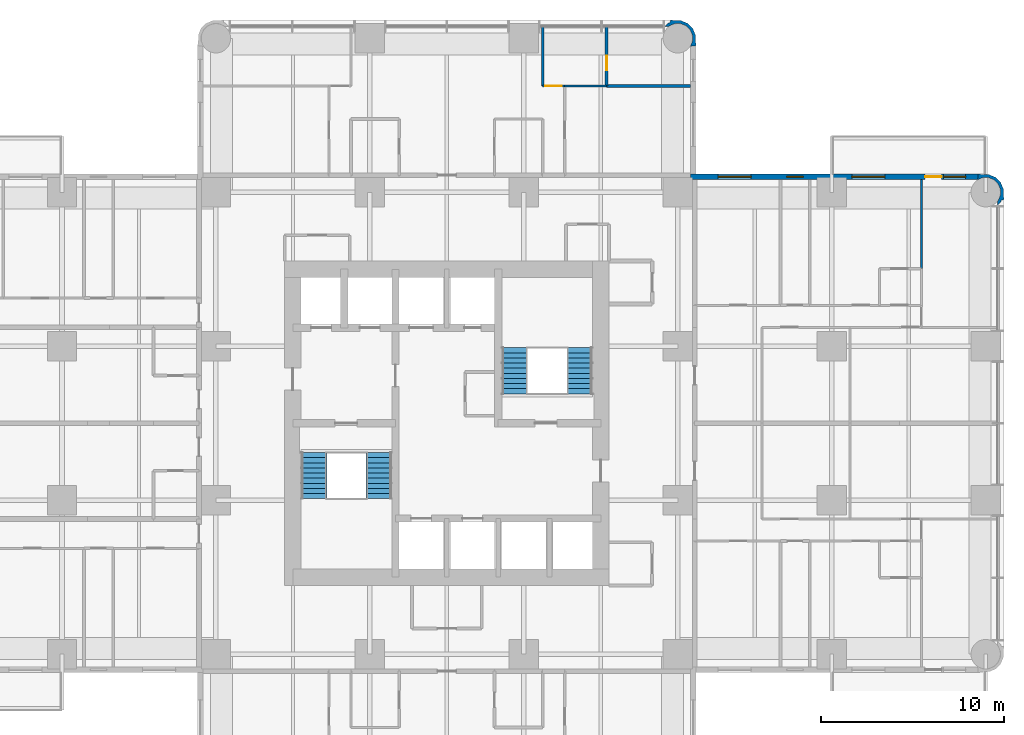
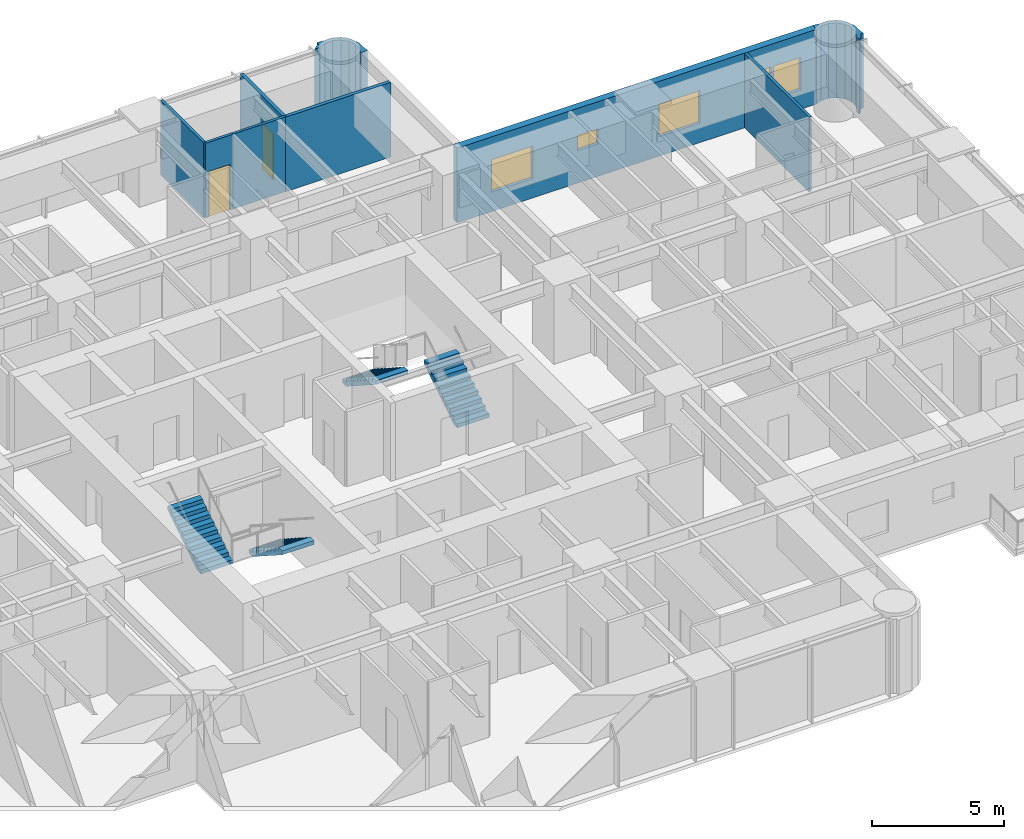
# One storey, part 12 of 14: 9 walls, 4 stair flights, 4 windows, 3 doors, 7 openings, 2 elements without a shape of their own.
"""IFC4 building model written with IfcOpenShell, lengths in metres."""

from ifc_helpers import new_model, si_unit, direction, frame, frame_2d, origin, place, context, subcontext, project, spatial, polyline, rectangle, outline, extrude, material, layer, layer_set, type_object, element, fill, aggregate, save


model = new_model("IFC4")

# Units and contexts
model_context = context("Model", 3, precision=1e-05, world=origin(), true_north=direction((0.0, 1.0)))
body_context = subcontext(model_context, "Body", "Model", "MODEL_VIEW")
ifc_project = project(units=[si_unit("LENGTHUNIT", "METRE"), si_unit("AREAUNIT", "SQUARE_METRE"), si_unit("VOLUMEUNIT", "CUBIC_METRE"), si_unit("PLANEANGLEUNIT", "RADIAN"), si_unit("MASSUNIT", "GRAM", prefix="KILO")], contexts=[model_context])

# Site, building, storey
site_placement = place(None, origin())
site = spatial("IfcSite", under=ifc_project, at=site_placement, CompositionType="ELEMENT")
building_placement = place(site_placement, origin())
building = spatial("IfcBuilding", under=site, at=building_placement, Name="Torre Alcanfor", CompositionType="ELEMENT")
storey_placement = place(building_placement, frame((0.0, 0.0, 141.300048828125)))
storey = spatial("IfcBuildingStorey", under=building, at=storey_placement, Name="L36", CompositionType="ELEMENT", Elevation=141.300048828125)

# Wall
ifc_material_1 = material(Name="Gypsum board on steel studs", Category="steel")
ifc_layer_1 = layer(ifc_material_1, 0.1201171875)
ifc_layer_set_1 = layer_set([ifc_layer_1], Name="Apartment partition 120")
wall_type_1 = type_object("IfcWallType", Name="Apartment partition 120", PredefinedType="PARTITIONING", material=ifc_layer_set_1)
wall_1_placement = place(storey_placement, frame((34.62890625, 51.050048828125, 0.0), z_axis=(0.0, 0.0, 1.0), x_axis=(0.0, -1.0, 0.0)))
element("IfcWall", 1, at=wall_1_placement, inside=storey, type_object=wall_type_1, Name="Partition L36-NX-LIVING / L36-NX-BED1", PredefinedType="PARTITIONING", context=body_context, shape_type="SweptSolid", body=[
    extrude(rectangle(XDim=3.25, YDim=0.1201171875, at=frame_2d((1.625, 0.0))), origin(), (0.0, 0.0, 1.0), 3.449951171875),
])

# Wall, opening, door
wall_2_placement = place(storey_placement, frame((34.62890625, 47.800048828125, 0.0), z_axis=(0.0, 0.0, 1.0), x_axis=(1.0, 0.0, 0.0)))
wall_2 = element("IfcWall", 2, at=wall_2_placement, inside=storey, type_object=wall_type_1, Name="Partition L36-NX-LIVING / L36-NX-BED1", PredefinedType="PARTITIONING", context=body_context, shape_type="SweptSolid", body=[
    extrude(rectangle(XDim=1.2001953125, YDim=0.1201171875, at=frame_2d((0.60009765625, 0.0))), origin(), (0.0, 0.0, 1.0), 3.449951171875),
])
opening_1_placement = place(wall_2_placement, frame((0.15087890625, 0.0, 0.0)))
opening_1 = element("IfcOpeningElement", 3, at=opening_1_placement, cuts=wall_2, Name="Opening D-R1", PredefinedType="OPENING", context=body_context, shape_type="SweptSolid", body=[
    extrude(rectangle(XDim=0.89990234375, YDim=2.10009765625, at=frame_2d((0.449951171875, 1.050048828125))), frame((0.0, 0.070068359375, 0.0), z_axis=(0.0, -1.0, 0.0), x_axis=(1.0, 0.0, 0.0)), (0.0, 0.0, 1.0), 0.14013671875),
])
ifc_material_2 = material(Name="Timber", Category="wood")
door_type_1 = type_object("IfcDoorType", Name="Internal door 900x2100", OperationType="SINGLE_SWING_LEFT", PredefinedType="DOOR", material=ifc_material_2)
door_1_placement = place(opening_1_placement, origin())
door_1 = element("IfcDoor", 4, at=door_1_placement, inside=storey, type_object=door_type_1, Name="Door L36-NX bed1", OperationType="SINGLE_SWING_LEFT", OverallHeight=2.10009765625, OverallWidth=0.89990234375, PredefinedType="DOOR", context=body_context, shape_type="SweptSolid", body=[
    extrude(rectangle(XDim=0.89990234375, YDim=2.10009765625, at=frame_2d((0.449951171875, 1.050048828125))), frame((0.0, 0.02490234375, 0.0), z_axis=(0.0, -1.0, 0.0), x_axis=(1.0, 0.0, 0.0)), (0.0, 0.0, 1.0), 0.050048828125),
])
fill(opening_1, door_1)

# Walls
wall_3_placement = place(storey_placement, frame((38.114013671875, 47.800048828125, 0.0), z_axis=(0.0, 0.0, 1.0), x_axis=(-1.0, 0.0, 0.0)))
element("IfcWall", 5, at=wall_3_placement, inside=storey, type_object=wall_type_1, Name="Partition L36-NX-BED3 / L36-NX-BED1", PredefinedType="PARTITIONING", context=body_context, shape_type="SweptSolid", body=[
    extrude(rectangle(XDim=2.284912109375, YDim=0.1201171875, at=frame_2d((1.142578125, 0.0))), origin(), (0.0, 0.0, 1.0), 3.449951171875),
])
wall_4_placement = place(storey_placement, frame((55.300048828125, 42.699951171875, 0.0), z_axis=(0.0, 0.0, 1.0), x_axis=(0.0, -1.0, 0.0)))
element("IfcWall", 6, at=wall_4_placement, inside=storey, type_object=wall_type_1, Name="Partition L36-E1-MASTER / L36-E1-WGARD", PredefinedType="PARTITIONING", context=body_context, shape_type="SweptSolid", body=[
    extrude(rectangle(XDim=4.870849609375, YDim=0.1201171875, at=frame_2d((2.435546875, 0.0))), origin(), (0.0, 0.0, 1.0), 3.449951171875),
])

# Wall, openings, door, windows
ifc_material_3 = material(Name="Limestone cladding", Category="masonry")
ifc_layer_2 = layer(ifc_material_3, 0.0400390625, Name="Facing")
ifc_material_4 = material(Name="Ventilated air cavity")
ifc_layer_3 = layer(ifc_material_4, 0.02001953125, ventilated=True, Name="Ventilated joint")
ifc_material_5 = material(Name="Mineral wool insulation", Category="insulation")
ifc_layer_4 = layer(ifc_material_5, 0.10009765625, Name="Insulation")
ifc_material_6 = material(Name="Concrete f'c 35 MPa", Category="concrete")
ifc_layer_5 = layer(ifc_material_6, 0.139892578125, Name="Backing")
ifc_layer_set_2 = layer_set([ifc_layer_2, ifc_layer_3, ifc_layer_4, ifc_layer_5], Name="External wall stone-clad 300")
wall_type_2 = type_object("IfcWallType", Name="External wall stone-clad 300", PredefinedType="SOLIDWALL", material=ifc_layer_set_2)
wall_5_placement = place(storey_placement, frame((58.39990234375, 42.85009765625, 0.0), z_axis=(0.0, 0.0, 1.0), x_axis=(-1.0, 0.0, 0.0)))
wall_5 = element("IfcWall", 7, at=wall_5_placement, inside=storey, type_object=wall_type_2, Name="External wall L36 9", PredefinedType="SOLIDWALL", context=body_context, shape_type="SweptSolid", body=[
    extrude(rectangle(XDim=15.699951171875, YDim=0.300048828125, at=frame_2d((7.85009765625, 0.0))), origin(), (0.0, 0.0, 1.0), 3.449951171875),
])
opening_2_placement = place(wall_5_placement, frame((12.39990234375, 0.0, 0.89990234375)))
opening_2 = element("IfcOpeningElement", 8, at=opening_2_placement, cuts=wall_5, Name="Opening W2", PredefinedType="OPENING", context=body_context, shape_type="SweptSolid", body=[
    extrude(rectangle(XDim=1.800048828125, YDim=1.5, at=frame_2d((0.89990234375, 0.75))), frame((0.0, 0.159912109375, 0.0), z_axis=(0.0, -1.0, 0.0), x_axis=(1.0, 0.0, 0.0)), (0.0, 0.0, 1.0), 0.320068359375),
])
opening_3_placement = place(wall_5_placement, frame((9.550048828125, 0.0, 1.5)))
opening_3 = element("IfcOpeningElement", 9, at=opening_3_placement, cuts=wall_5, Name="Opening W3", PredefinedType="OPENING", context=body_context, shape_type="SweptSolid", body=[
    extrude(rectangle(XDim=0.89990234375, YDim=0.699951171875, at=frame_2d((0.449951171875, 0.35009765625))), frame((0.0, 0.159912109375, 0.0), z_axis=(0.0, -1.0, 0.0), x_axis=(1.0, 0.0, 0.0)), (0.0, 0.0, 1.0), 0.320068359375),
])
opening_4_placement = place(wall_5_placement, frame((5.10009765625, 0.0, 0.89990234375)))
opening_4 = element("IfcOpeningElement", 10, at=opening_4_placement, cuts=wall_5, Name="Opening W2", PredefinedType="OPENING", context=body_context, shape_type="SweptSolid", body=[
    extrude(rectangle(XDim=1.800048828125, YDim=1.5, at=frame_2d((0.89990234375, 0.75))), frame((0.0, 0.159912109375, 0.0), z_axis=(0.0, -1.0, 0.0), x_axis=(1.0, 0.0, 0.0)), (0.0, 0.0, 1.0), 0.320068359375),
])
opening_5_placement = place(wall_5_placement, frame((2.0, 0.0, 0.0)))
opening_5 = element("IfcOpeningElement", 11, at=opening_5_placement, cuts=wall_5, Name="Opening D-B1", PredefinedType="OPENING", context=body_context, shape_type="SweptSolid", body=[
    extrude(rectangle(XDim=0.89990234375, YDim=2.39990234375, at=frame_2d((0.449951171875, 1.199951171875))), frame((0.0, 0.159912109375, 0.0), z_axis=(0.0, -1.0, 0.0), x_axis=(1.0, 0.0, 0.0)), (0.0, 0.0, 1.0), 0.320068359375),
])
opening_6_placement = place(wall_5_placement, frame((0.699951171875, 0.0, 0.89990234375)))
opening_6 = element("IfcOpeningElement", 12, at=opening_6_placement, cuts=wall_5, Name="Opening W4", PredefinedType="OPENING", context=body_context, shape_type="SweptSolid", body=[
    extrude(rectangle(XDim=1.199951171875, YDim=1.5, at=frame_2d((0.60009765625, 0.75))), frame((0.0, 0.159912109375, 0.0), z_axis=(0.0, -1.0, 0.0), x_axis=(1.0, 0.0, 0.0)), (0.0, 0.0, 1.0), 0.320068359375),
])
ifc_material_7 = material(Name="Aluminium and glass", Category="aluminium")
door_type_2 = type_object("IfcDoorType", Name="Balcony door glazed 900x2400", OperationType="SINGLE_SWING_LEFT", PredefinedType="DOOR", material=ifc_material_7)
door_2_placement = place(opening_5_placement, origin())
door_2 = element("IfcDoor", 13, at=door_2_placement, inside=storey, type_object=door_type_2, Name="Balcony door L36-E1", OperationType="SINGLE_SWING_RIGHT", OverallHeight=2.39990234375, OverallWidth=0.89990234375, PredefinedType="DOOR", context=body_context, shape_type="SweptSolid", body=[
    extrude(rectangle(XDim=0.89990234375, YDim=2.39990234375, at=frame_2d((0.449951171875, 1.199951171875))), frame((0.0, 0.02490234375, 0.0), z_axis=(0.0, -1.0, 0.0), x_axis=(1.0, 0.0, 0.0)), (0.0, 0.0, 1.0), 0.050048828125),
])
fill(opening_5, door_2)
ifc_material_8 = material(Name="Aluminium frame with clear double glazing", Category="aluminium")
window_type_1 = type_object("IfcWindowType", Name="Window bathroom 900x700", PartitioningType="SINGLE_PANEL", PredefinedType="WINDOW", material=ifc_material_8)
window_1_placement = place(opening_3_placement, origin())
window_1 = element("IfcWindow", 14, at=window_1_placement, inside=storey, type_object=window_type_1, Name="Window W3 L36-E1", OverallHeight=0.699951171875, OverallWidth=0.89990234375, PartitioningType="SINGLE_PANEL", PredefinedType="WINDOW", context=body_context, shape_type="SweptSolid", body=[
    extrude(rectangle(XDim=0.89990234375, YDim=0.699951171875, at=frame_2d((0.449951171875, 0.35009765625))), frame((0.0, 0.030029296875, 0.0), z_axis=(0.0, -1.0, 0.0), x_axis=(1.0, 0.0, 0.0)), (0.0, 0.0, 1.0), 0.06005859375),
])
fill(opening_3, window_1)
ifc_material_9 = material(Name="Aluminium frame with clear double glazing", Category="aluminium")
window_type_2 = type_object("IfcWindowType", Name="Window bedroom 1200x1500", PartitioningType="SINGLE_PANEL", PredefinedType="WINDOW", material=ifc_material_9)
window_2_placement = place(opening_6_placement, origin())
window_2 = element("IfcWindow", 15, at=window_2_placement, inside=storey, type_object=window_type_2, Name="Window W4 L36-E1", OverallHeight=1.5, OverallWidth=1.199951171875, PartitioningType="SINGLE_PANEL", PredefinedType="WINDOW", context=body_context, shape_type="SweptSolid", body=[
    extrude(rectangle(XDim=1.199951171875, YDim=1.5, at=frame_2d((0.60009765625, 0.75))), frame((0.0, 0.030029296875, 0.0), z_axis=(0.0, -1.0, 0.0), x_axis=(1.0, 0.0, 0.0)), (0.0, 0.0, 1.0), 0.06005859375),
])
fill(opening_6, window_2)
ifc_material_10 = material(Name="Aluminium frame with clear double glazing", Category="aluminium")
window_type_3 = type_object("IfcWindowType", Name="Window bedroom 1800x1500", PartitioningType="SINGLE_PANEL", PredefinedType="WINDOW", material=ifc_material_10)
window_3_placement = place(opening_2_placement, origin())
window_3 = element("IfcWindow", 16, at=window_3_placement, inside=storey, type_object=window_type_3, Name="Window W2 L36-E1", OverallHeight=1.5, OverallWidth=1.800048828125, PartitioningType="SINGLE_PANEL", PredefinedType="WINDOW", context=body_context, shape_type="SweptSolid", body=[
    extrude(rectangle(XDim=1.800048828125, YDim=1.5, at=frame_2d((0.89990234375, 0.75))), frame((0.0, 0.030029296875, 0.0), z_axis=(0.0, -1.0, 0.0), x_axis=(1.0, 0.0, 0.0)), (0.0, 0.0, 1.0), 0.06005859375),
])
fill(opening_2, window_3)
window_4_placement = place(opening_4_placement, origin())
window_4 = element("IfcWindow", 17, at=window_4_placement, inside=storey, type_object=window_type_3, Name="Window W2 L36-E1", OverallHeight=1.5, OverallWidth=1.800048828125, PartitioningType="SINGLE_PANEL", PredefinedType="WINDOW", context=body_context, shape_type="SweptSolid", body=[
    extrude(rectangle(XDim=1.800048828125, YDim=1.5, at=frame_2d((0.89990234375, 0.75))), frame((0.0, 0.030029296875, 0.0), z_axis=(0.0, -1.0, 0.0), x_axis=(1.0, 0.0, 0.0)), (0.0, 0.0, 1.0), 0.06005859375),
])
fill(opening_4, window_4)

# Walls
ifc_layer_6 = layer(ifc_material_3, 0.0400390625, Name="Facing")
ifc_layer_7 = layer(ifc_material_4, 0.02001953125, ventilated=True, Name="Ventilated joint")
ifc_layer_8 = layer(ifc_material_5, 0.10009765625, Name="Insulation")
ifc_layer_9 = layer(ifc_material_6, 0.139892578125, Name="Backing")
ifc_layer_set_3 = layer_set([ifc_layer_6, ifc_layer_7, ifc_layer_8, ifc_layer_9], Name="Rounded corner pier stone-clad 300")
wall_type_3 = type_object("IfcWallType", Name="Rounded corner pier stone-clad 300", PredefinedType="SOLIDWALL", material=ifc_layer_set_3)
wall_6_placement = place(storey_placement, frame((59.395317512, 41.351928198, 0.0), z_axis=(0.0, 0.0, 1.0), x_axis=(0.93923434088, 0.343276641956, 0.0)))
element("IfcWall", 18, at=wall_6_placement, inside=storey, type_object=wall_type_3, Name="Corner pier L36 18", PredefinedType="SOLIDWALL", context=body_context, shape_type="SweptSolid", body=[
    extrude(outline(polyline([(0.5319791374717469, 0.3931546875748424), (0.6305370795958255, 0.662817672163305), (0.614285462759775, 1.044364627998893), (0.4533652442516045, 1.3906676424071163), (0.17222000156622597, 1.6491237258576117), (-0.09744298302223653, 1.7476816679816904), (-0.36918355555989557, 1.8896284089825286), (-0.509101456401082, 1.6213052972671853), (-0.49052773042177455, 1.6145168675800676), (-0.47941981662998623, 1.6086375342973744), (-0.2113919059229058, 1.6201101578142136), (0.08785145707704622, 1.5107410128550955), (0.32257352025202113, 1.2952455132706726), (0.4567838912150332, 1.0060128786275908), (0.47036434537540095, 0.687566849311498), (0.36107900819019806, 0.38855279157054984), (0.14535420334677107, 0.1539145361694899), (0.10800994465551556, 0.13637103018492347), (0.030906792653685306, -0.07458980809856762), (0.2410056377422186, 0.023039004395991533), (0.3334055822831027, 0.12365495968313633), (0.46532832919806827, 0.0941544704520565), (0.5319791374717469, 0.3931546875748424)])), origin(), (0.0, 0.0, 1.0), 3.449951171875),
])
wall_7_placement = place(storey_placement, frame((42.817059488, 50.073176205, 0.0), z_axis=(0.0, 0.0, 1.0), x_axis=(0.343276641956, 0.93923434088, 0.0)))
element("IfcWall", 19, at=wall_7_placement, inside=storey, type_object=wall_type_3, Name="Corner pier L36 19", PredefinedType="SOLIDWALL", context=body_context, shape_type="SweptSolid", body=[
    extrude(outline(polyline([(0.2655808672444785, -0.0550807599050476), (0.5354731570919448, 0.04356098999294611), (0.8166183997773234, 0.30201707344344164), (0.9775386182854939, 0.6483200878516648), (0.9937902351215443, 1.0298670436872528), (0.8952322929974657, 1.2995300282757154), (0.8283521794647835, 1.5984464376245864), (0.6966587378088214, 1.5690297561674216), (0.6042587932679374, 1.6696457114545662), (0.39415994817940425, 1.7672745239491254), (0.47126310018123446, 1.5563136856656343), (0.50860735887249, 1.538770179681068), (0.7241028584569131, 1.304048116506093), (0.833388195642116, 1.0050340587651447), (0.8200370467407522, 0.686671837222967), (0.68582667577774, 0.3974392025798854), (0.4511046126027651, 0.18194370299546214), (0.15186124960281305, 0.07257455803634424), (-0.11616666110426738, 0.08404718155318341), (-0.12750388015505948, 0.07808404049657515), (-0.14607760613436685, 0.07129561080945748), (-0.0059304000341767055, -0.19694369313197083), (0.2655808672444785, -0.0550807599050476)])), origin(), (0.0, 0.0, 1.0), 3.449951171875),
])
ifc_material_11 = material(Name="Cement board on steel studs", Category="steel")
ifc_layer_10 = layer(ifc_material_11, 0.14990234375)
ifc_layer_set_4 = layer_set([ifc_layer_10], Name="Wet area partition 150")
wall_type_4 = type_object("IfcWallType", Name="Wet area partition 150", PredefinedType="PARTITIONING", material=ifc_layer_set_4)
wall_8_placement = place(storey_placement, frame((42.699951171875, 47.800048828125, 0.0), z_axis=(0.0, 0.0, 1.0), x_axis=(-1.0, 0.0, 0.0)))
element("IfcWall", 20, at=wall_8_placement, inside=storey, type_object=wall_type_4, Name="Partition L36-NX-BED3 / L36-NX-BATH1", PredefinedType="PARTITIONING", context=body_context, shape_type="SweptSolid", body=[
    extrude(rectangle(XDim=4.5859375, YDim=0.14990234375, at=frame_2d((2.29296875, 0.0))), origin(), (0.0, 0.0, 1.0), 3.449951171875),
])

# Wall, opening, door
wall_9_placement = place(storey_placement, frame((38.114013671875, 51.050048828125, 0.0), z_axis=(0.0, 0.0, 1.0), x_axis=(0.0, -1.0, 0.0)))
wall_9 = element("IfcWall", 21, at=wall_9_placement, inside=storey, type_object=wall_type_4, Name="Partition L36-NX-BATH1 / L36-NX-BED1", PredefinedType="PARTITIONING", context=body_context, shape_type="SweptSolid", body=[
    extrude(rectangle(XDim=3.25, YDim=0.14990234375, at=frame_2d((1.625, 0.0))), origin(), (0.0, 0.0, 1.0), 3.449951171875),
])
opening_7_placement = place(wall_9_placement, frame((1.60009765625, 0.0, 0.0)))
opening_7 = element("IfcOpeningElement", 22, at=opening_7_placement, cuts=wall_9, Name="Opening D-R2", PredefinedType="OPENING", context=body_context, shape_type="SweptSolid", body=[
    extrude(rectangle(XDim=0.800048828125, YDim=2.10009765625, at=frame_2d((0.39990234375, 1.050048828125))), frame((0.0, 0.0849609375, 0.0), z_axis=(0.0, -1.0, 0.0), x_axis=(1.0, 0.0, 0.0)), (0.0, 0.0, 1.0), 0.169921875),
])
ifc_material_12 = material(Name="Timber", Category="wood")
door_type_3 = type_object("IfcDoorType", Name="Bathroom door 800x2100", OperationType="SINGLE_SWING_LEFT", PredefinedType="DOOR", material=ifc_material_12)
door_3_placement = place(opening_7_placement, frame((0.800048828125, 0.0, 0.0), z_axis=(0.0, 0.0, 1.0), x_axis=(-1.0, 0.0, 0.0)))
door_3 = element("IfcDoor", 23, at=door_3_placement, inside=storey, type_object=door_type_3, Name="Door L36-NX bath1", OperationType="SINGLE_SWING_LEFT", OverallHeight=2.10009765625, OverallWidth=0.800048828125, PredefinedType="DOOR", context=body_context, shape_type="SweptSolid", body=[
    extrude(rectangle(XDim=0.800048828125, YDim=2.10009765625, at=frame_2d((0.400146484375, 1.050048828125))), frame((0.0, 0.025146484375, 0.0), z_axis=(0.0, -1.0, 0.0), x_axis=(1.0, 0.0, 0.0)), (0.0, 0.0, 1.0), 0.050048828125),
])
fill(opening_7, door_3)

# Stair, stair flights
ifc_material_13 = material(Name="Concrete f'c 35 MPa", Category="concrete")
stair_type_1 = type_object("IfcStairType", Name="Exit stair S1 1400 wide", PredefinedType="HALF_TURN_STAIR", material=ifc_material_13)
stair_1_placement = place(storey_placement, origin())
stair_1 = element("IfcStair", 24, at=stair_1_placement, inside=storey, type_object=stair_type_1, Name="Stair S1 L36 to L37", PredefinedType="HALF_TURN_STAIR")
ifc_material_14 = material(Name="Concrete f'c 35 MPa", Category="concrete")
stair_flight_type = type_object("IfcStairFlightType", Name="Stair flight 1400", PredefinedType="STRAIGHT", material=ifc_material_14)
stair_flight_1_placement = place(storey_placement, frame((25.699951171875, 27.800048828125, 0.0), z_axis=(0.0, 0.0, 1.0), x_axis=(0.0, -1.0, 0.0)))
stair_flight_1 = element("IfcStairFlight", 25, at=stair_flight_1_placement, type_object=stair_flight_type, Name="S1 flight 1", NumberOfRisers=10, NumberOfTreads=9, PredefinedType="STRAIGHT", RiserHeight=0.18, TreadLength=0.28, context=body_context, shape_type="SweptSolid", body=[
    extrude(outline(polyline([(0.0, 0.0), (0.0, 0.179931640625), (0.280029296875, 0.179931640625), (0.280029296875, 0.360107421875), (0.56005859375, 0.360107421875), (0.56005859375, 0.5400390625), (0.840087890625, 0.5400390625), (0.840087890625, 0.719970703125), (1.1201171875, 0.719970703125), (1.1201171875, 0.89990234375), (1.39990234375, 0.89990234375), (1.39990234375, 1.080078125), (1.679931640625, 1.080078125), (1.679931640625, 1.260009765625), (1.9599609375, 1.260009765625), (1.9599609375, 1.43994140625), (2.239990234375, 1.43994140625), (2.239990234375, 1.6201171875), (2.52001953125, 1.6201171875), (2.52001953125, 1.800048828125), (2.52001953125, 1.44189453125), (0.277099609375, 0.0), (0.0, 0.0)])), frame((0.0, 0.699951171875, 0.0), z_axis=(0.0, -1.0, 0.0), x_axis=(1.0, 0.0, 0.0)), (0.0, 0.0, 1.0), 1.39990234375),
])
stair_flight_2_placement = place(storey_placement, frame((22.14990234375, 25.280029296875, 1.800048828125), z_axis=(0.0, 0.0, 1.0), x_axis=(0.0, 1.0, 0.0)))
stair_flight_2 = element("IfcStairFlight", 26, at=stair_flight_2_placement, type_object=stair_flight_type, Name="S1 flight 2", NumberOfRisers=10, NumberOfTreads=9, PredefinedType="STRAIGHT", RiserHeight=0.18, TreadLength=0.28, context=body_context, shape_type="SweptSolid", body=[
    extrude(outline(polyline([(0.0, 0.0), (0.0, 0.179931640625), (0.280029296875, 0.179931640625), (0.280029296875, 0.360107421875), (0.56005859375, 0.360107421875), (0.56005859375, 0.5400390625), (0.840087890625, 0.5400390625), (0.840087890625, 0.719970703125), (1.1201171875, 0.719970703125), (1.1201171875, 0.89990234375), (1.39990234375, 0.89990234375), (1.39990234375, 1.080078125), (1.679931640625, 1.080078125), (1.679931640625, 1.260009765625), (1.9599609375, 1.260009765625), (1.9599609375, 1.43994140625), (2.239990234375, 1.43994140625), (2.239990234375, 1.6201171875), (2.52001953125, 1.6201171875), (2.52001953125, 1.800048828125), (2.52001953125, 1.44189453125), (0.277099609375, 0.0), (0.0, 0.0)])), frame((0.0, 0.699951171875, 0.0), z_axis=(0.0, -1.0, 0.0), x_axis=(1.0, 0.0, 0.0)), (0.0, 0.0, 1.0), 1.39990234375),
])
aggregate(stair_1, [stair_flight_1, stair_flight_2])

ifc_material_15 = material(Name="Concrete f'c 35 MPa", Category="concrete")
stair_type_2 = type_object("IfcStairType", Name="Exit stair S2 1400 wide", PredefinedType="HALF_TURN_STAIR", material=ifc_material_15)
stair_2_placement = place(storey_placement, origin())
stair_2 = element("IfcStair", 27, at=stair_2_placement, inside=storey, type_object=stair_type_2, Name="Stair S2 L36 to L37", PredefinedType="HALF_TURN_STAIR")
stair_flight_3_placement = place(storey_placement, frame((36.64990234375, 31.0, 0.0), z_axis=(0.0, 0.0, 1.0), x_axis=(0.0, 1.0, 0.0)))
stair_flight_3 = element("IfcStairFlight", 28, at=stair_flight_3_placement, type_object=stair_flight_type, Name="S2 flight 1", NumberOfRisers=10, NumberOfTreads=9, PredefinedType="STRAIGHT", RiserHeight=0.18, TreadLength=0.28, context=body_context, shape_type="SweptSolid", body=[
    extrude(outline(polyline([(0.0, 0.0), (0.0, 0.179931640625), (0.280029296875, 0.179931640625), (0.280029296875, 0.360107421875), (0.56005859375, 0.360107421875), (0.56005859375, 0.5400390625), (0.840087890625, 0.5400390625), (0.840087890625, 0.719970703125), (1.1201171875, 0.719970703125), (1.1201171875, 0.89990234375), (1.39990234375, 0.89990234375), (1.39990234375, 1.080078125), (1.679931640625, 1.080078125), (1.679931640625, 1.260009765625), (1.9599609375, 1.260009765625), (1.9599609375, 1.43994140625), (2.239990234375, 1.43994140625), (2.239990234375, 1.6201171875), (2.52001953125, 1.6201171875), (2.52001953125, 1.800048828125), (2.52001953125, 1.44189453125), (0.277099609375, 0.0), (0.0, 0.0)])), frame((0.0, 0.699951171875, 0.0), z_axis=(0.0, -1.0, 0.0), x_axis=(1.0, 0.0, 0.0)), (0.0, 0.0, 1.0), 1.39990234375),
])
stair_flight_4_placement = place(storey_placement, frame((33.10009765625, 33.52001953125, 1.800048828125), z_axis=(0.0, 0.0, 1.0), x_axis=(0.0, -1.0, 0.0)))
stair_flight_4 = element("IfcStairFlight", 29, at=stair_flight_4_placement, type_object=stair_flight_type, Name="S2 flight 2", NumberOfRisers=10, NumberOfTreads=9, PredefinedType="STRAIGHT", RiserHeight=0.18, TreadLength=0.28, context=body_context, shape_type="SweptSolid", body=[
    extrude(outline(polyline([(0.0, 0.0), (0.0, 0.179931640625), (0.280029296875, 0.179931640625), (0.280029296875, 0.360107421875), (0.56005859375, 0.360107421875), (0.56005859375, 0.5400390625), (0.840087890625, 0.5400390625), (0.840087890625, 0.719970703125), (1.1201171875, 0.719970703125), (1.1201171875, 0.89990234375), (1.39990234375, 0.89990234375), (1.39990234375, 1.080078125), (1.679931640625, 1.080078125), (1.679931640625, 1.260009765625), (1.9599609375, 1.260009765625), (1.9599609375, 1.43994140625), (2.239990234375, 1.43994140625), (2.239990234375, 1.6201171875), (2.52001953125, 1.6201171875), (2.52001953125, 1.800048828125), (2.52001953125, 1.44189453125), (0.277099609375, 0.0), (0.0, 0.0)])), frame((0.0, 0.699951171875, 0.0), z_axis=(0.0, -1.0, 0.0), x_axis=(1.0, 0.0, 0.0)), (0.0, 0.0, 1.0), 1.39990234375),
])
aggregate(stair_2, [stair_flight_3, stair_flight_4])

save(model, "model.ifc")
